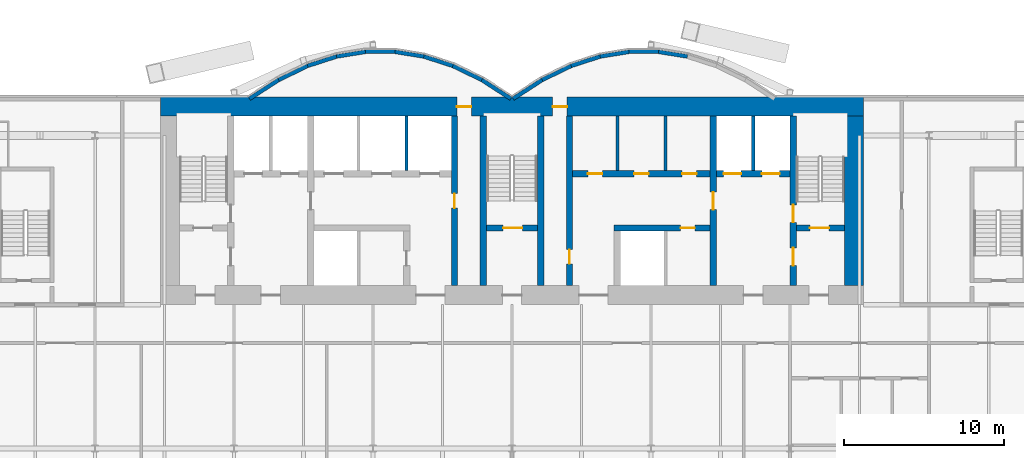
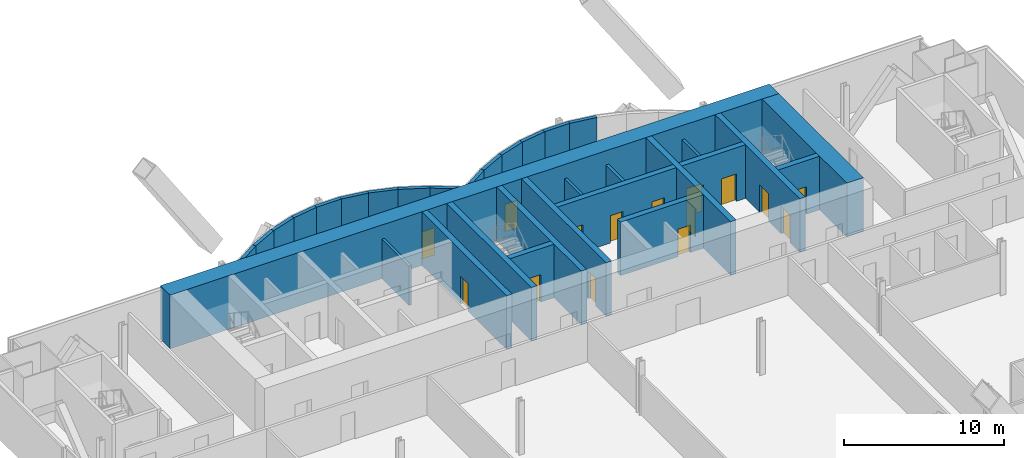
# One storey, part 19 of 23: 31 walls, 15 doors, 15 openings.
"""IFC4 building model written with IfcOpenShell, lengths in metres."""

import ifcopenshell
import ifcopenshell.guid

model = None  # the IFC model being written
_history = None  # IfcOwnerHistory: only IFC2X3 demands one
_inside = {}  # id of a spatial element -> (the spatial element, [elements in it])
_under = {}  # id of a project, library or spatial element -> (it, [spatial elements below it])
_declared = {}  # id of a project -> (the project, [libraries it declares])
_typed = {}  # id of a type object -> (the type object, [elements of that type])
_made_of = {}  # id of a material, layer set ... -> (it, [elements and type objects made of it])


def new_model(schema):
    """Start an empty IFC model of exactly this schema.

    Asked for "IFC4X3", IfcOpenShell would pick the latest addendum, in which some entities
    have other attributes; the version numbers below select the first issue.
    IFC2X3 requires an IfcOwnerHistory on every rooted entity: one is made here for all.
    """
    global model, _history
    if schema == "IFC4X3":
        model = ifcopenshell.file(schema_version=(4, 3, 0, 0))
    else:
        model = ifcopenshell.file(schema=schema)
    _inside.clear()
    _under.clear()
    _declared.clear()
    _typed.clear()
    _made_of.clear()
    _history = None
    if model.schema == "IFC2X3":
        org = make("IfcOrganization", Name="unknown")
        user = make(
            "IfcPersonAndOrganization",
            ThePerson=make("IfcPerson", FamilyName="unknown"),
            TheOrganization=org,
        )
        app = make(
            "IfcApplication",
            ApplicationDeveloper=org,
            Version="unknown",
            ApplicationFullName="unknown",
            ApplicationIdentifier="unknown",
        )
        _history = make(
            "IfcOwnerHistory",
            OwningUser=user,
            OwningApplication=app,
            ChangeAction="ADDED",
            CreationDate=0,
        )
    return model


def make(cls, **values):
    """One entity of the class cls with the attributes given. An attribute that is None is left unset."""
    return model.create_entity(
        cls, **{name: value for name, value in values.items() if value is not None}
    )


def rooted(cls, **values):
    """An entity with a GlobalId (a new one), such as an element, a storey or a relation."""
    return make(cls, GlobalId=ifcopenshell.guid.new(), OwnerHistory=_history, **values)


def si_unit(unit_type, name, prefix=None):
    """IfcSIUnit, for example si_unit("LENGTHUNIT", "METRE", prefix="MILLI")."""
    return make("IfcSIUnit", UnitType=unit_type, Prefix=prefix, Name=name)


def assignment(units):
    """IfcUnitAssignment: the units of a project."""
    return None if units is None else make("IfcUnitAssignment", Units=units)


def point(xyz):
    """IfcCartesianPoint."""
    return None if xyz is None else make("IfcCartesianPoint", Coordinates=xyz)


def direction(xyz):
    """IfcDirection."""
    return None if xyz is None else make("IfcDirection", DirectionRatios=xyz)


def frame(location, z_axis=None, x_axis=None):
    """IfcAxis2Placement3D, a coordinate frame: its origin and axes. An axis left out is left unset."""
    return make(
        "IfcAxis2Placement3D",
        Location=point(location),
        Axis=direction(z_axis),
        RefDirection=direction(x_axis),
    )


def frame_2d(location, x_axis=None):
    """IfcAxis2Placement2D, a coordinate frame in the plane: its origin and x axis."""
    return make(
        "IfcAxis2Placement2D", Location=point(location), RefDirection=direction(x_axis)
    )


def origin():
    """The frame at (0, 0, 0) with its axes left unset."""
    return frame((0.0, 0.0, 0.0))


def place(relative_to, where):
    """IfcLocalPlacement: puts the frame where relative to a parent placement (None: the world)."""
    return make(
        "IfcLocalPlacement", PlacementRelTo=relative_to, RelativePlacement=where
    )


def context(
    kind, dimensions, precision=None, world=None, true_north=None, identifier=None
):
    """IfcGeometricRepresentationContext, for example the 3D "Model" context."""
    return make(
        "IfcGeometricRepresentationContext",
        ContextIdentifier=identifier,
        ContextType=kind,
        CoordinateSpaceDimension=dimensions,
        Precision=precision,
        WorldCoordinateSystem=world,
        TrueNorth=true_north,
    )


def subcontext(parent, identifier, kind, view, scale=None):
    """IfcGeometricRepresentationSubContext, for example "Body" below "Model"."""
    return make(
        "IfcGeometricRepresentationSubContext",
        ContextIdentifier=identifier,
        ContextType=kind,
        ParentContext=parent,
        TargetScale=scale,
        TargetView=view,
    )


def project(units=None, contexts=None):
    """IfcProject with its units and contexts."""
    return rooted(
        "IfcProject",
        Name="project",
        RepresentationContexts=contexts,
        UnitsInContext=assignment(units),
    )


def spatial(cls, under=None, at=None, **own):
    """A site, building, storey or space (cls), placed at a placement, below another one or the project."""
    s = rooted(cls, ObjectPlacement=at, **own)
    if under is not None:
        _under.setdefault(under.id(), (under, []))[1].append(s)
    return s


def profile(cls, at=None, kind="AREA", **sizes):
    """A parametric profile (cls). Its sizes go by their IFC names, for example OverallWidth=200.0."""
    return make(cls, ProfileType=kind, Position=at, **sizes)


def rectangle(**sizes):
    """IfcRectangleProfileDef."""
    return profile("IfcRectangleProfileDef", **sizes)


def extrude(swept, where, along, depth):
    """IfcExtrudedAreaSolid: the profile swept, set in the frame where, extruded along a direction by depth."""
    return make(
        "IfcExtrudedAreaSolid",
        SweptArea=swept,
        Position=where,
        ExtrudedDirection=direction(along),
        Depth=depth,
    )


def shape(context_of_items, identifier, shape_type, items):
    """IfcShapeRepresentation: the items that make up one representation, for example the "Body"."""
    return make(
        "IfcShapeRepresentation",
        ContextOfItems=context_of_items,
        RepresentationIdentifier=identifier,
        RepresentationType=shape_type,
        Items=items,
    )


def material(Name=None, Category=None):
    """IfcMaterial."""
    return make("IfcMaterial", Name=Name, Category=Category)


def layer(
    of_material, thickness, ventilated=None, Name=None, Category=None, Priority=None
):
    """IfcMaterialLayer: one layer of a wall or slab, of a material (None: an air gap)."""
    return make(
        "IfcMaterialLayer",
        Material=of_material,
        LayerThickness=thickness,
        IsVentilated=ventilated,
        Name=Name,
        Category=Category,
        Priority=Priority,
    )


def layer_set(layers, Name=None):
    """IfcMaterialLayerSet."""
    return make("IfcMaterialLayerSet", MaterialLayers=layers, LayerSetName=Name)


def layer_usage(for_layer_set, set_direction, sense, offset, extent=None):
    """IfcMaterialLayerSetUsage: how a layer set lies in its element."""
    return make(
        "IfcMaterialLayerSetUsage",
        ForLayerSet=for_layer_set,
        LayerSetDirection=set_direction,
        DirectionSense=sense,
        OffsetFromReferenceLine=offset,
        ReferenceExtent=extent,
    )


def made_of(thing, what):
    """Note that an element or type object is made of a material, layer set ...; save() writes the relation."""
    if what is not None:
        _made_of.setdefault(what.id(), (what, []))[1].append(thing)
    return thing


def type_object(cls, material=None, **own):
    """A type object (cls), such as IfcWallType, which elements share."""
    return made_of(rooted(cls, **own), material)


def element(
    cls,
    number,
    at=None,
    inside=None,
    cuts=None,
    type_object=None,
    material=None,
    context=None,
    identifier="Body",
    shape_type=None,
    held_by="IfcProductDefinitionShape",
    body=None,
    shapes=None,
    **own,
):
    """One element of the class cls, such as IfcWall. Its Tag is "e" and its number.

    at: its placement. inside: the storey or other place that contains it. cuts: it is an
    opening in that element (IfcRelVoidsElement). A single representation is given by context,
    identifier, shape_type and body (its items); several are given by shapes. held_by: the class
    of the entity that holds the representations. save() writes the other relations.
    """
    e = rooted(cls, Tag="e%d" % number, ObjectPlacement=at, **own)
    if body is not None:
        shapes = [shape(context, identifier, shape_type, body)]
    if shapes is not None:
        e.Representation = make(held_by, Representations=shapes)
    if inside is not None:
        _inside.setdefault(inside.id(), (inside, []))[1].append(e)
    if cuts is not None:
        rooted(
            "IfcRelVoidsElement", RelatingBuildingElement=cuts, RelatedOpeningElement=e
        )
    if type_object is not None:
        _typed.setdefault(type_object.id(), (type_object, []))[1].append(e)
    return made_of(e, material)


def fill(opening, filler):
    """IfcRelFillsElement: the door or window that sits in an opening."""
    return rooted(
        "IfcRelFillsElement",
        RelatingOpeningElement=opening,
        RelatedBuildingElement=filler,
    )


def aggregate(whole, parts):
    """IfcRelAggregates: a whole, such as a stair, and the parts it consists of."""
    return rooted("IfcRelAggregates", RelatingObject=whole, RelatedObjects=parts)


def save(model, path):
    """Write the relations noted so far, then the file.

    IfcRelAggregates (storeys below a building ...), IfcRelContainedInSpatialStructure (elements
    in a storey), IfcRelDefinesByType, IfcRelAssociatesMaterial and IfcRelDeclares: one each for
    every whole, place, type object, material and project.
    """
    for whole, parts in _under.values():
        aggregate(whole, parts)
    for where, things in _inside.values():
        rooted(
            "IfcRelContainedInSpatialStructure",
            RelatedElements=things,
            RelatingStructure=where,
        )
    for kind, things in _typed.values():
        rooted("IfcRelDefinesByType", RelatedObjects=things, RelatingType=kind)
    for what, things in _made_of.values():
        rooted("IfcRelAssociatesMaterial", RelatedObjects=things, RelatingMaterial=what)
    for by, libraries in _declared.values():
        rooted("IfcRelDeclares", RelatingContext=by, RelatedDefinitions=libraries)
    model.write(path)


model = new_model("IFC4")

# Units and contexts
model_context = context("Model", 3, precision=1e-05, world=origin(), true_north=direction((0.0, 1.0)))
body_context = subcontext(model_context, "Body", "Model", "MODEL_VIEW")
ifc_project = project(units=[si_unit("LENGTHUNIT", "METRE"), si_unit("AREAUNIT", "SQUARE_METRE"), si_unit("VOLUMEUNIT", "CUBIC_METRE"), si_unit("PLANEANGLEUNIT", "RADIAN"), si_unit("MASSUNIT", "GRAM", prefix="KILO")], contexts=[model_context])

# Site, building, storey
site_placement = place(None, origin())
site = spatial("IfcSite", under=ifc_project, at=site_placement, CompositionType="ELEMENT")
building_placement = place(site_placement, origin())
building = spatial("IfcBuilding", under=site, at=building_placement, Name="Bicima Exchange Tower", CompositionType="ELEMENT")
storey_placement = place(building_placement, frame((0.0, 0.0, 110.39990234375)))
storey = spatial("IfcBuildingStorey", under=building, at=storey_placement, Name="L23", CompositionType="ELEMENT", Elevation=110.39990234375)

# Walls
ifc_material_1 = material(Name="Gypsum board partition")
ifc_layer_1 = layer(ifc_material_1, 0.199951171875)
ifc_layer_set_1 = layer_set([ifc_layer_1], Name="Gypsum board partition")
wall_type_1 = type_object("IfcWallType", Name="Fire-rated gypsum partition 200 EI120", PredefinedType="PARTITIONING", material=ifc_layer_set_1)
for number, where, z_axis, x_axis, name in (
    (1, (-6.60009765625, -4.60009765625, 0.0), (0.0, 0.0, 1.0), (0.0, 1.0, 0.0), "partition wall 14"),
    (2, (15.10009765625, -4.60009765625, 0.0), (0.0, 0.0, 1.0), (0.0, 1.0, 0.0), "partition wall 24"),
):
    element("IfcWall", number, at=place(storey_placement, frame(where, z_axis=z_axis, x_axis=x_axis)), inside=storey, type_object=wall_type_1, Name=name, PredefinedType="PARTITIONING", context=body_context, shape_type="SweptSolid", body=[
        extrude(rectangle(XDim=3.400146484375, YDim=0.199951171875, at=frame_2d((1.7001953125, 0.0))), origin(), (0.0, 0.0, 1.0), 3.018310546875),
    ])
ifc_layer_2 = layer(ifc_material_1, 0.199951171875)
ifc_layer_set_2 = layer_set([ifc_layer_2], Name="Gypsum board partition")
wall_type_2 = type_object("IfcWallType", Name="Fire-rated gypsum partition 200 EI60", PredefinedType="PARTITIONING", material=ifc_layer_set_2)
for number, where, z_axis, x_axis, name in (
    (3, (6.60009765625, -4.60009765625, 0.0), (0.0, 0.0, 1.0), (0.0, 1.0, 0.0), "partition wall 20"),
    (4, (9.60009765625, -4.60009765625, 0.0), (0.0, 0.0, 1.0), (0.0, 1.0, 0.0), "partition wall 22"),
):
    element("IfcWall", number, at=place(storey_placement, frame(where, z_axis=z_axis, x_axis=x_axis)), inside=storey, type_object=wall_type_2, Name=name, PredefinedType="PARTITIONING", context=body_context, shape_type="SweptSolid", body=[
        extrude(rectangle(XDim=3.400146484375, YDim=0.199951171875, at=frame_2d((1.7001953125, 0.0))), origin(), (0.0, 0.0, 1.0), 3.018310546875),
    ])

# Wall, openings, doors
ifc_material_2 = material(Name="Concrete C60/75", Category="concrete")
ifc_layer_3 = layer(ifc_material_2, 1.199951171875)
ifc_layer_set_3 = layer_set([ifc_layer_3], Name="Concrete C60/75")
wall_type_3 = type_object("IfcWallType", Name="RC core wall 1200 C60/75", PredefinedType="SHEAR", material=ifc_layer_set_3)
wall_1_placement = place(storey_placement, frame((-22.0, -0.60009765625, 0.0), z_axis=(0.0, 0.0, 1.0), x_axis=(1.0, 0.0, 0.0)))
wall_1 = element("IfcWall", 5, at=wall_1_placement, inside=storey, type_object=wall_type_3, Name="Core wall north", PredefinedType="SHEAR", context=body_context, shape_type="SweptSolid", body=[
    extrude(rectangle(XDim=44.0, YDim=1.199951171875, at=frame_2d((22.0, 0.0))), origin(), (0.0, 0.0, 1.0), 4.10009765625),
])
opening_1_placement = place(wall_1_placement, frame((18.550048828125, 0.0, 0.0)))
opening_1 = element("IfcOpeningElement", 6, at=opening_1_placement, cuts=wall_1, Name="Opening L23-C17", PredefinedType="OPENING", context=body_context, shape_type="SweptSolid", body=[
    extrude(rectangle(XDim=0.89990234375, YDim=2.10009765625, at=frame_2d((0.449951171875, 1.050048828125))), frame((0.0, 0.61181640625, 0.0), z_axis=(0.0, -1.0, 0.0), x_axis=(1.0, 0.0, 0.0)), (0.0, 0.0, 1.0), 1.223876953125),
])
opening_2_placement = place(wall_1_placement, frame((24.550048828125, 0.0, 0.0)))
opening_2 = element("IfcOpeningElement", 7, at=opening_2_placement, cuts=wall_1, Name="Opening L23-C18", PredefinedType="OPENING", context=body_context, shape_type="SweptSolid", body=[
    extrude(rectangle(XDim=0.89990234375, YDim=2.10009765625, at=frame_2d((0.449951171875, 1.050048828125))), frame((0.0, 0.61181640625, 0.0), z_axis=(0.0, -1.0, 0.0), x_axis=(1.0, 0.0, 0.0)), (0.0, 0.0, 1.0), 1.223876953125),
])
ifc_material_3 = material(Name="Steel fire door leaf", Category="steel")
door_type_1 = type_object("IfcDoorType", Name="Door 900 swing FD30S", OperationType="SINGLE_SWING_LEFT", PredefinedType="DOOR", material=ifc_material_3)
door_1_placement = place(opening_1_placement, origin())
door_1 = element("IfcDoor", 8, at=door_1_placement, inside=storey, type_object=door_type_1, Name="Core door", OperationType="SINGLE_SWING_LEFT", OverallHeight=2.10009765625, OverallWidth=0.89990234375, PredefinedType="DOOR", context=body_context, shape_type="SweptSolid", body=[
    extrude(rectangle(XDim=0.89990234375, YDim=2.10009765625, at=frame_2d((0.449951171875, 1.050048828125))), frame((0.0, 0.02490234375, 0.0), z_axis=(0.0, -1.0, 0.0), x_axis=(1.0, 0.0, 0.0)), (0.0, 0.0, 1.0), 0.050048828125),
])
fill(opening_1, door_1)
door_2_placement = place(opening_2_placement, origin())
door_2 = element("IfcDoor", 9, at=door_2_placement, inside=storey, type_object=door_type_1, Name="Core door", OperationType="SINGLE_SWING_LEFT", OverallHeight=2.10009765625, OverallWidth=0.89990234375, PredefinedType="DOOR", context=body_context, shape_type="SweptSolid", body=[
    extrude(rectangle(XDim=0.89990234375, YDim=2.10009765625, at=frame_2d((0.449951171875, 1.050048828125))), frame((0.0, 0.02490234375, 0.0), z_axis=(0.0, -1.0, 0.0), x_axis=(1.0, 0.0, 0.0)), (0.0, 0.0, 1.0), 0.050048828125),
])
fill(opening_2, door_2)

# Wall
wall_2_placement = place(storey_placement, frame((21.39990234375, -11.800048828125, 0.0), z_axis=(0.0, 0.0, 1.0), x_axis=(0.0, 1.0, 0.0)))
element("IfcWall", 10, at=wall_2_placement, inside=storey, type_object=wall_type_3, Name="Core wall east", PredefinedType="SHEAR", context=body_context, shape_type="SweptSolid", body=[
    extrude(rectangle(XDim=10.60009765625, YDim=1.199951171875, at=frame_2d((5.300048828125, 0.0))), origin(), (0.0, 0.0, 1.0), 4.10009765625),
])

# Wall, opening, door
ifc_material_4 = material(Name="Concrete C50/60", Category="concrete")
ifc_layer_4 = layer(ifc_material_4, 0.39990234375)
ifc_layer_set_4 = layer_set([ifc_layer_4], Name="Concrete C50/60")
wall_type_4 = type_object("IfcWallType", Name="RC core wall 400 C50/60", PredefinedType="SHEAR", material=ifc_layer_set_4)
wall_3_placement = place(storey_placement, frame((-1.60009765625, -8.199951171875, 0.0), z_axis=(0.0, 0.0, 1.0), x_axis=(1.0, 0.0, 0.0)))
wall_3 = element("IfcWall", 11, at=wall_3_placement, inside=storey, type_object=wall_type_4, Name="stair wall 3", PredefinedType="SHEAR", context=body_context, shape_type="SweptSolid", body=[
    extrude(rectangle(XDim=3.2001953125, YDim=0.39990234375, at=frame_2d((1.60009765625, 0.0))), origin(), (0.0, 0.0, 1.0), 4.10009765625),
])
opening_3_placement = place(wall_3_placement, frame((1.050048828125, 0.0, 0.0)))
opening_3 = element("IfcOpeningElement", 12, at=opening_3_placement, cuts=wall_3, Name="Opening L23-C03", PredefinedType="OPENING", context=body_context, shape_type="SweptSolid", body=[
    extrude(rectangle(XDim=1.199951171875, YDim=2.10009765625, at=frame_2d((0.60009765625, 1.050048828125))), frame((0.0, 0.2119140625, 0.0), z_axis=(0.0, -1.0, 0.0), x_axis=(1.0, 0.0, 0.0)), (0.0, 0.0, 1.0), 0.423828125),
])
door_type_2 = type_object("IfcDoorType", Name="Door 1200 swing FD60S", OperationType="SINGLE_SWING_LEFT", PredefinedType="DOOR", material=ifc_material_3)
door_3_placement = place(opening_3_placement, origin())
door_3 = element("IfcDoor", 13, at=door_3_placement, inside=storey, type_object=door_type_2, Name="Core door", OperationType="SINGLE_SWING_LEFT", OverallHeight=2.10009765625, OverallWidth=1.199951171875, PredefinedType="DOOR", context=body_context, shape_type="SweptSolid", body=[
    extrude(rectangle(XDim=1.199951171875, YDim=2.10009765625, at=frame_2d((0.60009765625, 1.050048828125))), frame((0.0, 0.02490234375, 0.0), z_axis=(0.0, -1.0, 0.0), x_axis=(1.0, 0.0, 0.0)), (0.0, 0.0, 1.0), 0.050048828125),
])
fill(opening_3, door_3)

wall_4_placement = place(storey_placement, frame((17.800048828125, -8.199951171875, 0.0), z_axis=(0.0, 0.0, 1.0), x_axis=(1.0, 0.0, 0.0)))
wall_4 = element("IfcWall", 14, at=wall_4_placement, inside=storey, type_object=wall_type_4, Name="stair wall 5", PredefinedType="SHEAR", context=body_context, shape_type="SweptSolid", body=[
    extrude(rectangle(XDim=3.0, YDim=0.39990234375, at=frame_2d((1.5, 0.0))), origin(), (0.0, 0.0, 1.0), 4.10009765625),
])
opening_4_placement = place(wall_4_placement, frame((0.85009765625, 0.0, 0.0)))
opening_4 = element("IfcOpeningElement", 15, at=opening_4_placement, cuts=wall_4, Name="Opening L23-C04", PredefinedType="OPENING", context=body_context, shape_type="SweptSolid", body=[
    extrude(rectangle(XDim=1.199951171875, YDim=2.10009765625, at=frame_2d((0.60009765625, 1.050048828125))), frame((0.0, 0.2119140625, 0.0), z_axis=(0.0, -1.0, 0.0), x_axis=(1.0, 0.0, 0.0)), (0.0, 0.0, 1.0), 0.423828125),
])
door_4_placement = place(opening_4_placement, origin())
door_4 = element("IfcDoor", 16, at=door_4_placement, inside=storey, type_object=door_type_2, Name="Core door", OperationType="SINGLE_SWING_RIGHT", OverallHeight=2.10009765625, OverallWidth=1.199951171875, PredefinedType="DOOR", context=body_context, shape_type="SweptSolid", body=[
    extrude(rectangle(XDim=1.199951171875, YDim=2.10009765625, at=frame_2d((0.60009765625, 1.050048828125))), frame((0.0, 0.02490234375, 0.0), z_axis=(0.0, -1.0, 0.0), x_axis=(1.0, 0.0, 0.0)), (0.0, 0.0, 1.0), 0.050048828125),
])
fill(opening_4, door_4)

# Walls
for number, where, z_axis, x_axis, name in (
    (17, (-1.800048828125, -11.800048828125, 0.0), (0.0, 0.0, 1.0), (0.0, 1.0, 0.0), "stair wall 16"),
    (18, (1.800048828125, -11.800048828125, 0.0), (0.0, 0.0, 1.0), (0.0, 1.0, 0.0), "stair wall 17"),
):
    element("IfcWall", number, at=place(storey_placement, frame(where, z_axis=z_axis, x_axis=x_axis)), inside=storey, type_object=wall_type_4, Name=name, PredefinedType="SHEAR", context=body_context, shape_type="SweptSolid", body=[
        extrude(rectangle(XDim=10.60009765625, YDim=0.39990234375, at=frame_2d((5.300048828125, 0.0))), origin(), (0.0, 0.0, 1.0), 4.10009765625),
    ])

# Wall, openings, doors
wall_5_placement = place(storey_placement, frame((17.60009765625, -11.800048828125, 0.0), z_axis=(0.0, 0.0, 1.0), x_axis=(0.0, 1.0, 0.0)))
wall_5 = element("IfcWall", 19, at=wall_5_placement, inside=storey, type_object=wall_type_4, Name="stair wall 25", PredefinedType="SHEAR", context=body_context, shape_type="SweptSolid", body=[
    extrude(rectangle(XDim=10.60009765625, YDim=0.39990234375, at=frame_2d((5.300048828125, 0.0))), origin(), (0.0, 0.0, 1.0), 4.10009765625),
])
opening_5_placement = place(wall_5_placement, frame((1.25, 0.0, 0.0)))
opening_5 = element("IfcOpeningElement", 20, at=opening_5_placement, cuts=wall_5, Name="Opening L23-C05", PredefinedType="OPENING", context=body_context, shape_type="SweptSolid", body=[
    extrude(rectangle(XDim=1.10009765625, YDim=2.10009765625, at=frame_2d((0.550048828125, 1.050048828125))), frame((0.0, 0.2119140625, 0.0), z_axis=(0.0, -1.0, 0.0), x_axis=(1.0, 0.0, 0.0)), (0.0, 0.0, 1.0), 0.423828125),
])
opening_6_placement = place(wall_5_placement, frame((3.949951171875, 0.0, 0.0)))
opening_6 = element("IfcOpeningElement", 21, at=opening_6_placement, cuts=wall_5, Name="Opening L23-C08", PredefinedType="OPENING", context=body_context, shape_type="SweptSolid", body=[
    extrude(rectangle(XDim=1.10009765625, YDim=2.10009765625, at=frame_2d((0.550048828125, 1.050048828125))), frame((0.0, 0.2119140625, 0.0), z_axis=(0.0, -1.0, 0.0), x_axis=(1.0, 0.0, 0.0)), (0.0, 0.0, 1.0), 0.423828125),
])
door_type_3 = type_object("IfcDoorType", Name="Door 1100 swing FD60S", OperationType="SINGLE_SWING_LEFT", PredefinedType="DOOR", material=ifc_material_3)
door_5_placement = place(opening_5_placement, origin())
door_5 = element("IfcDoor", 22, at=door_5_placement, inside=storey, type_object=door_type_3, Name="Core door", OperationType="SINGLE_SWING_LEFT", OverallHeight=2.10009765625, OverallWidth=1.10009765625, PredefinedType="DOOR", context=body_context, shape_type="SweptSolid", body=[
    extrude(rectangle(XDim=1.10009765625, YDim=2.10009765625, at=frame_2d((0.550048828125, 1.050048828125))), frame((0.0, 0.02490234375, 0.0), z_axis=(0.0, -1.0, 0.0), x_axis=(1.0, 0.0, 0.0)), (0.0, 0.0, 1.0), 0.050048828125),
])
fill(opening_5, door_5)
door_6_placement = place(opening_6_placement, origin())
door_6 = element("IfcDoor", 23, at=door_6_placement, inside=storey, type_object=door_type_3, Name="Core door", OperationType="SINGLE_SWING_RIGHT", OverallHeight=2.10009765625, OverallWidth=1.10009765625, PredefinedType="DOOR", context=body_context, shape_type="SweptSolid", body=[
    extrude(rectangle(XDim=1.10009765625, YDim=2.10009765625, at=frame_2d((0.550048828125, 1.050048828125))), frame((0.0, 0.02490234375, 0.0), z_axis=(0.0, -1.0, 0.0), x_axis=(1.0, 0.0, 0.0)), (0.0, 0.0, 1.0), 0.050048828125),
])
fill(opening_6, door_6)

# Wall, opening, door
ifc_layer_5 = layer(ifc_material_2, 0.39990234375)
ifc_layer_set_5 = layer_set([ifc_layer_5], Name="Concrete C60/75")
wall_type_5 = type_object("IfcWallType", Name="RC core wall 400 C60/75", PredefinedType="SHEAR", material=ifc_layer_set_5)
wall_6_placement = place(storey_placement, frame((6.39990234375, -8.199951171875, 0.0), z_axis=(0.0, 0.0, 1.0), x_axis=(1.0, 0.0, 0.0)))
wall_6 = element("IfcWall", 24, at=wall_6_placement, inside=storey, type_object=wall_type_5, Name="shear wall 4", PredefinedType="SHEAR", context=body_context, shape_type="SweptSolid", body=[
    extrude(rectangle(XDim=6.0, YDim=0.39990234375, at=frame_2d((3.0, 0.0))), origin(), (0.0, 0.0, 1.0), 4.10009765625),
])
opening_7_placement = place(wall_6_placement, frame((4.14990234375, 0.0, 0.0)))
opening_7 = element("IfcOpeningElement", 25, at=opening_7_placement, cuts=wall_6, Name="Opening L23-C16", PredefinedType="OPENING", context=body_context, shape_type="SweptSolid", body=[
    extrude(rectangle(XDim=0.89990234375, YDim=2.10009765625, at=frame_2d((0.449951171875, 1.050048828125))), frame((0.0, 0.2119140625, 0.0), z_axis=(0.0, -1.0, 0.0), x_axis=(1.0, 0.0, 0.0)), (0.0, 0.0, 1.0), 0.423828125),
])
door_7_placement = place(opening_7_placement, frame((0.89990234375, 0.0, 0.0), z_axis=(0.0, 0.0, 1.0), x_axis=(-1.0, 0.0, 0.0)))
door_7 = element("IfcDoor", 26, at=door_7_placement, inside=storey, type_object=door_type_1, Name="Core door", OperationType="SINGLE_SWING_LEFT", OverallHeight=2.10009765625, OverallWidth=0.89990234375, PredefinedType="DOOR", context=body_context, shape_type="SweptSolid", body=[
    extrude(rectangle(XDim=0.89990234375, YDim=2.10009765625, at=frame_2d((0.449951171875, 1.050048828125))), frame((0.0, 0.02490234375, 0.0), z_axis=(0.0, -1.0, 0.0), x_axis=(1.0, 0.0, 0.0)), (0.0, 0.0, 1.0), 0.050048828125),
])
fill(opening_7, door_7)

# Wall, openings, doors
wall_7_placement = place(storey_placement, frame((3.800048828125, -4.800048828125, 0.0), z_axis=(0.0, 0.0, 1.0), x_axis=(1.0, 0.0, 0.0)))
wall_7 = element("IfcWall", 27, at=wall_7_placement, inside=storey, type_object=wall_type_5, Name="shear wall 7", PredefinedType="SHEAR", context=body_context, shape_type="SweptSolid", body=[
    extrude(rectangle(XDim=13.599853515625, YDim=0.39990234375, at=frame_2d((6.7998046875, 0.0))), origin(), (0.0, 0.0, 1.0), 4.10009765625),
])
opening_8_placement = place(wall_7_placement, frame((9.449951171875, 0.0, 0.0)))
opening_8 = element("IfcOpeningElement", 28, at=opening_8_placement, cuts=wall_7, Name="Opening LD-FF2-L23", PredefinedType="OPENING", context=body_context, shape_type="SweptSolid", body=[
    extrude(rectangle(XDim=1.10009765625, YDim=2.10009765625, at=frame_2d((0.550048828125, 1.050048828125))), frame((0.0, 0.2119140625, 0.0), z_axis=(0.0, -1.0, 0.0), x_axis=(1.0, 0.0, 0.0)), (0.0, 0.0, 1.0), 0.423828125),
])
opening_9_placement = place(wall_7_placement, frame((11.85009765625, 0.0, 0.0)))
opening_9 = element("IfcOpeningElement", 29, at=opening_9_placement, cuts=wall_7, Name="Opening LD-SV1-L23", PredefinedType="OPENING", context=body_context, shape_type="SweptSolid", body=[
    extrude(rectangle(XDim=1.10009765625, YDim=2.10009765625, at=frame_2d((0.550048828125, 1.050048828125))), frame((0.0, 0.2119140625, 0.0), z_axis=(0.0, -1.0, 0.0), x_axis=(1.0, 0.0, 0.0)), (0.0, 0.0, 1.0), 0.423828125),
])
opening_10_placement = place(wall_7_placement, frame((0.949951171875, 0.0, 0.0)))
opening_10 = element("IfcOpeningElement", 30, at=opening_10_placement, cuts=wall_7, Name="Opening L23-C12", PredefinedType="OPENING", context=body_context, shape_type="SweptSolid", body=[
    extrude(rectangle(XDim=0.89990234375, YDim=2.10009765625, at=frame_2d((0.449951171875, 1.050048828125))), frame((0.0, 0.2119140625, 0.0), z_axis=(0.0, -1.0, 0.0), x_axis=(1.0, 0.0, 0.0)), (0.0, 0.0, 1.0), 0.423828125),
])
opening_11_placement = place(wall_7_placement, frame((3.85009765625, 0.0, 0.0)))
opening_11 = element("IfcOpeningElement", 31, at=opening_11_placement, cuts=wall_7, Name="Opening L23-C13", PredefinedType="OPENING", context=body_context, shape_type="SweptSolid", body=[
    extrude(rectangle(XDim=0.89990234375, YDim=2.10009765625, at=frame_2d((0.449951171875, 1.050048828125))), frame((0.0, 0.2119140625, 0.0), z_axis=(0.0, -1.0, 0.0), x_axis=(1.0, 0.0, 0.0)), (0.0, 0.0, 1.0), 0.423828125),
])
opening_12_placement = place(wall_7_placement, frame((6.85009765625, 0.0, 0.0)))
opening_12 = element("IfcOpeningElement", 32, at=opening_12_placement, cuts=wall_7, Name="Opening L23-C14", PredefinedType="OPENING", context=body_context, shape_type="SweptSolid", body=[
    extrude(rectangle(XDim=0.89990234375, YDim=2.10009765625, at=frame_2d((0.449951171875, 1.050048828125))), frame((0.0, 0.2119140625, 0.0), z_axis=(0.0, -1.0, 0.0), x_axis=(1.0, 0.0, 0.0)), (0.0, 0.0, 1.0), 0.423828125),
])
door_8_placement = place(opening_10_placement, origin())
door_8 = element("IfcDoor", 33, at=door_8_placement, inside=storey, type_object=door_type_1, Name="Core door", OperationType="SINGLE_SWING_RIGHT", OverallHeight=2.10009765625, OverallWidth=0.89990234375, PredefinedType="DOOR", context=body_context, shape_type="SweptSolid", body=[
    extrude(rectangle(XDim=0.89990234375, YDim=2.10009765625, at=frame_2d((0.449951171875, 1.050048828125))), frame((0.0, 0.02490234375, 0.0), z_axis=(0.0, -1.0, 0.0), x_axis=(1.0, 0.0, 0.0)), (0.0, 0.0, 1.0), 0.050048828125),
])
fill(opening_10, door_8)
door_9_placement = place(opening_11_placement, origin())
door_9 = element("IfcDoor", 34, at=door_9_placement, inside=storey, type_object=door_type_1, Name="Core door", OperationType="SINGLE_SWING_LEFT", OverallHeight=2.10009765625, OverallWidth=0.89990234375, PredefinedType="DOOR", context=body_context, shape_type="SweptSolid", body=[
    extrude(rectangle(XDim=0.89990234375, YDim=2.10009765625, at=frame_2d((0.449951171875, 1.050048828125))), frame((0.0, 0.02490234375, 0.0), z_axis=(0.0, -1.0, 0.0), x_axis=(1.0, 0.0, 0.0)), (0.0, 0.0, 1.0), 0.050048828125),
])
fill(opening_11, door_9)
door_10_placement = place(opening_12_placement, origin())
door_10 = element("IfcDoor", 35, at=door_10_placement, inside=storey, type_object=door_type_1, Name="Core door", OperationType="SINGLE_SWING_RIGHT", OverallHeight=2.10009765625, OverallWidth=0.89990234375, PredefinedType="DOOR", context=body_context, shape_type="SweptSolid", body=[
    extrude(rectangle(XDim=0.89990234375, YDim=2.10009765625, at=frame_2d((0.449951171875, 1.050048828125))), frame((0.0, 0.02490234375, 0.0), z_axis=(0.0, -1.0, 0.0), x_axis=(1.0, 0.0, 0.0)), (0.0, 0.0, 1.0), 0.050048828125),
])
fill(opening_12, door_10)
ifc_material_5 = material(Name="Stainless steel", Category="steel")
door_type_4 = type_object("IfcDoorType", Name="Lift landing door 1100 sliding", OperationType="DOUBLE_DOOR_SLIDING", PredefinedType="DOOR", material=ifc_material_5)
door_11_placement = place(opening_8_placement, origin())
door_11 = element("IfcDoor", 36, at=door_11_placement, inside=storey, type_object=door_type_4, Name="Lift landing door FF2", OperationType="DOUBLE_DOOR_SLIDING", OverallHeight=2.10009765625, OverallWidth=1.10009765625, PredefinedType="DOOR", context=body_context, shape_type="SweptSolid", body=[
    extrude(rectangle(XDim=1.10009765625, YDim=2.10009765625, at=frame_2d((0.550048828125, 1.050048828125))), frame((0.0, 0.02490234375, 0.0), z_axis=(0.0, -1.0, 0.0), x_axis=(1.0, 0.0, 0.0)), (0.0, 0.0, 1.0), 0.050048828125),
])
fill(opening_8, door_11)
door_12_placement = place(opening_9_placement, origin())
door_12 = element("IfcDoor", 37, at=door_12_placement, inside=storey, type_object=door_type_4, Name="Lift landing door SV1", OperationType="DOUBLE_DOOR_SLIDING", OverallHeight=2.10009765625, OverallWidth=1.10009765625, PredefinedType="DOOR", context=body_context, shape_type="SweptSolid", body=[
    extrude(rectangle(XDim=1.10009765625, YDim=2.10009765625, at=frame_2d((0.550048828125, 1.050048828125))), frame((0.0, 0.02490234375, 0.0), z_axis=(0.0, -1.0, 0.0), x_axis=(1.0, 0.0, 0.0)), (0.0, 0.0, 1.0), 0.050048828125),
])
fill(opening_9, door_12)

# Wall, opening, door
wall_8_placement = place(storey_placement, frame((-3.60009765625, -11.800048828125, 0.0), z_axis=(0.0, 0.0, 1.0), x_axis=(0.0, 1.0, 0.0)))
wall_8 = element("IfcWall", 38, at=wall_8_placement, inside=storey, type_object=wall_type_5, Name="shear wall 15", PredefinedType="SHEAR", context=body_context, shape_type="SweptSolid", body=[
    extrude(rectangle(XDim=10.60009765625, YDim=0.39990234375, at=frame_2d((5.300048828125, 0.0))), origin(), (0.0, 0.0, 1.0), 4.10009765625),
])
opening_13_placement = place(wall_8_placement, frame((4.85009765625, 0.0, 0.0)))
opening_13 = element("IfcOpeningElement", 39, at=opening_13_placement, cuts=wall_8, Name="Opening L23-C10", PredefinedType="OPENING", context=body_context, shape_type="SweptSolid", body=[
    extrude(rectangle(XDim=0.89990234375, YDim=2.10009765625, at=frame_2d((0.449951171875, 1.050048828125))), frame((0.0, 0.2119140625, 0.0), z_axis=(0.0, -1.0, 0.0), x_axis=(1.0, 0.0, 0.0)), (0.0, 0.0, 1.0), 0.423828125),
])
door_13_placement = place(opening_13_placement, frame((0.89990234375, 0.0, 0.0), z_axis=(0.0, 0.0, 1.0), x_axis=(-1.0, 0.0, 0.0)))
door_13 = element("IfcDoor", 40, at=door_13_placement, inside=storey, type_object=door_type_1, Name="Core door", OperationType="SINGLE_SWING_LEFT", OverallHeight=2.10009765625, OverallWidth=0.89990234375, PredefinedType="DOOR", context=body_context, shape_type="SweptSolid", body=[
    extrude(rectangle(XDim=0.89990234375, YDim=2.10009765625, at=frame_2d((0.449951171875, 1.050048828125))), frame((0.0, 0.02490234375, 0.0), z_axis=(0.0, -1.0, 0.0), x_axis=(1.0, 0.0, 0.0)), (0.0, 0.0, 1.0), 0.050048828125),
])
fill(opening_13, door_13)

wall_9_placement = place(storey_placement, frame((3.60009765625, -11.800048828125, 0.0), z_axis=(0.0, 0.0, 1.0), x_axis=(0.0, 1.0, 0.0)))
wall_9 = element("IfcWall", 41, at=wall_9_placement, inside=storey, type_object=wall_type_5, Name="shear wall 18", PredefinedType="SHEAR", context=body_context, shape_type="SweptSolid", body=[
    extrude(rectangle(XDim=10.60009765625, YDim=0.39990234375, at=frame_2d((5.300048828125, 0.0))), origin(), (0.0, 0.0, 1.0), 4.10009765625),
])
opening_14_placement = place(wall_9_placement, frame((1.35009765625, 0.0, 0.0)))
opening_14 = element("IfcOpeningElement", 42, at=opening_14_placement, cuts=wall_9, Name="Opening L23-C11", PredefinedType="OPENING", context=body_context, shape_type="SweptSolid", body=[
    extrude(rectangle(XDim=0.89990234375, YDim=2.10009765625, at=frame_2d((0.449951171875, 1.050048828125))), frame((0.0, 0.2119140625, 0.0), z_axis=(0.0, -1.0, 0.0), x_axis=(1.0, 0.0, 0.0)), (0.0, 0.0, 1.0), 0.423828125),
])
door_14_placement = place(opening_14_placement, origin())
door_14 = element("IfcDoor", 43, at=door_14_placement, inside=storey, type_object=door_type_1, Name="Core door", OperationType="SINGLE_SWING_LEFT", OverallHeight=2.10009765625, OverallWidth=0.89990234375, PredefinedType="DOOR", context=body_context, shape_type="SweptSolid", body=[
    extrude(rectangle(XDim=0.89990234375, YDim=2.10009765625, at=frame_2d((0.449951171875, 1.050048828125))), frame((0.0, 0.02490234375, 0.0), z_axis=(0.0, -1.0, 0.0), x_axis=(1.0, 0.0, 0.0)), (0.0, 0.0, 1.0), 0.050048828125),
])
fill(opening_14, door_14)

wall_10_placement = place(storey_placement, frame((12.60009765625, -11.800048828125, 0.0), z_axis=(0.0, 0.0, 1.0), x_axis=(0.0, 1.0, 0.0)))
wall_10 = element("IfcWall", 44, at=wall_10_placement, inside=storey, type_object=wall_type_5, Name="shear wall 23", PredefinedType="SHEAR", context=body_context, shape_type="SweptSolid", body=[
    extrude(rectangle(XDim=10.60009765625, YDim=0.39990234375, at=frame_2d((5.300048828125, 0.0))), origin(), (0.0, 0.0, 1.0), 4.10009765625),
])
opening_15_placement = place(wall_10_placement, frame((4.75, 0.0, 0.0)))
opening_15 = element("IfcOpeningElement", 45, at=opening_15_placement, cuts=wall_10, Name="Opening L23-C09", PredefinedType="OPENING", context=body_context, shape_type="SweptSolid", body=[
    extrude(rectangle(XDim=1.10009765625, YDim=2.10009765625, at=frame_2d((0.550048828125, 1.050048828125))), frame((0.0, 0.2119140625, 0.0), z_axis=(0.0, -1.0, 0.0), x_axis=(1.0, 0.0, 0.0)), (0.0, 0.0, 1.0), 0.423828125),
])
door_15_placement = place(opening_15_placement, frame((1.10009765625, 0.0, 0.0), z_axis=(0.0, 0.0, 1.0), x_axis=(-1.0, 0.0, 0.0)))
door_15 = element("IfcDoor", 46, at=door_15_placement, inside=storey, type_object=door_type_3, Name="Core door", OperationType="SINGLE_SWING_RIGHT", OverallHeight=2.10009765625, OverallWidth=1.10009765625, PredefinedType="DOOR", context=body_context, shape_type="SweptSolid", body=[
    extrude(rectangle(XDim=1.10009765625, YDim=2.10009765625, at=frame_2d((0.550048828125, 1.050048828125))), frame((0.0, 0.02490234375, 0.0), z_axis=(0.0, -1.0, 0.0), x_axis=(1.0, 0.0, 0.0)), (0.0, 0.0, 1.0), 0.050048828125),
])
fill(opening_15, door_15)

# Walls
ifc_material_6 = material(Name="Concrete C40/50", Category="concrete")
ifc_layer_6 = layer(ifc_material_6, 0.25)
ifc_layer_set_6 = layer_set([ifc_layer_6], Name="Concrete C40/50")
ifc_layer_usage = layer_usage(ifc_layer_set_6, "AXIS2", "POSITIVE", -0.125)
wall_type_6 = type_object("IfcWallType", Name="Rear backup wall 250", PredefinedType="STANDARD", material=ifc_layer_set_6)
wall_11_placement = place(storey_placement, frame((10.97998046875, 2.543212890625, 0.0), z_axis=(0.0, 0.0, 1.0), x_axis=(-0.987181718931, 0.159600293885, 0.0)))
element("IfcWall", 47, at=wall_11_placement, inside=storey, type_object=wall_type_6, material=ifc_layer_usage, Name="Rear backup wall L23 5", PredefinedType="STANDARD", context=body_context, shape_type="SweptSolid", body=[
    extrude(rectangle(XDim=1.857177734375, YDim=0.25, at=frame_2d((0.9287109375, 0.0))), origin(), (0.0, 0.0, 1.0), 3.9501953125),
])
wall_12_placement = place(storey_placement, frame((9.166748046875, 2.837890625, 0.0), z_axis=(0.0, 0.0, 1.0), x_axis=(-1.0, 0.0, 0.0)))
element("IfcWall", 48, at=wall_12_placement, inside=storey, type_object=wall_type_6, material=ifc_layer_usage, Name="Rear backup wall L23 6", PredefinedType="STANDARD", context=body_context, shape_type="SweptSolid", body=[
    extrude(rectangle(XDim=1.83349609375, YDim=0.25, at=frame_2d((0.916748046875, 0.0))), origin(), (0.0, 0.0, 1.0), 3.9501953125),
])
wall_13_placement = place(storey_placement, frame((7.353271484375, 2.839599609375, 0.0), z_axis=(0.0, 0.0, 1.0), x_axis=(-0.987181718931, -0.159600293885, 0.0)))
element("IfcWall", 49, at=wall_13_placement, inside=storey, type_object=wall_type_6, material=ifc_layer_usage, Name="Rear backup wall L23 7", PredefinedType="STANDARD", context=body_context, shape_type="SweptSolid", body=[
    extrude(rectangle(XDim=1.857177734375, YDim=0.25, at=frame_2d((0.9287109375, 0.0))), origin(), (0.0, 0.0, 1.0), 3.9501953125),
])
wall_14_placement = place(storey_placement, frame((5.538330078125, 2.5478515625, 0.0), z_axis=(0.0, 0.0, 1.0), x_axis=(-0.951495806175, -0.307661714928, 0.0)))
element("IfcWall", 50, at=wall_14_placement, inside=storey, type_object=wall_type_6, material=ifc_layer_usage, Name="Rear backup wall L23 8", PredefinedType="STANDARD", context=body_context, shape_type="SweptSolid", body=[
    extrude(rectangle(XDim=1.9267578125, YDim=0.25, at=frame_2d((0.96337890625, 0.0))), origin(), (0.0, 0.0, 1.0), 3.9501953125),
])
wall_15_placement = place(storey_placement, frame((3.72119140625, 1.961669921875, 0.0), z_axis=(0.0, 0.0, 1.0), x_axis=(-0.89982408427, -0.436252928206, 0.0)))
element("IfcWall", 51, at=wall_15_placement, inside=storey, type_object=wall_type_6, material=ifc_layer_usage, Name="Rear backup wall L23 9", PredefinedType="STANDARD", context=body_context, shape_type="SweptSolid", body=[
    extrude(rectangle(XDim=2.03759765625, YDim=0.25, at=frame_2d((1.018798828125, 0.0))), origin(), (0.0, 0.0, 1.0), 3.9501953125),
])
for number, where, z_axis, x_axis, name in (
    (52, (1.901123046875, 1.080078125, 0.0), (0.0, 0.0, 1.0), (-0.83981312244, -0.542875602121, 0.0), "Rear backup wall L23 10"),
    (53, (-0.06787109375, -0.10498046875, 0.0), (0.0, 0.0, 1.0), (-0.83981312244, 0.542875602121, 0.0), "Rear backup wall L23 11"),
):
    element("IfcWall", number, at=place(storey_placement, frame(where, z_axis=z_axis, x_axis=x_axis)), inside=storey, type_object=wall_type_6, material=ifc_layer_usage, Name=name, PredefinedType="STANDARD", context=body_context, shape_type="SweptSolid", body=[
        extrude(rectangle(XDim=2.182861328125, YDim=0.25, at=frame_2d((1.09130859375, 0.0))), origin(), (0.0, 0.0, 1.0), 3.9501953125),
    ])
wall_16_placement = place(storey_placement, frame((-1.8876953125, 1.07275390625, 0.0), z_axis=(0.0, 0.0, 1.0), x_axis=(-0.89982408427, 0.436252928206, 0.0)))
element("IfcWall", 54, at=wall_16_placement, inside=storey, type_object=wall_type_6, material=ifc_layer_usage, Name="Rear backup wall L23 12", PredefinedType="STANDARD", context=body_context, shape_type="SweptSolid", body=[
    extrude(rectangle(XDim=2.03759765625, YDim=0.25, at=frame_2d((1.018798828125, 0.0))), origin(), (0.0, 0.0, 1.0), 3.9501953125),
])
wall_17_placement = place(storey_placement, frame((-3.705078125, 1.955078125, 0.0), z_axis=(0.0, 0.0, 1.0), x_axis=(-0.951495806175, 0.307661714928, 0.0)))
element("IfcWall", 55, at=wall_17_placement, inside=storey, type_object=wall_type_6, material=ifc_layer_usage, Name="Rear backup wall L23 13", PredefinedType="STANDARD", context=body_context, shape_type="SweptSolid", body=[
    extrude(rectangle(XDim=1.9267578125, YDim=0.25, at=frame_2d((0.96337890625, 0.0))), origin(), (0.0, 0.0, 1.0), 3.9501953125),
])
wall_18_placement = place(storey_placement, frame((-5.52001953125, 2.543212890625, 0.0), z_axis=(0.0, 0.0, 1.0), x_axis=(-0.987181718931, 0.159600293885, 0.0)))
element("IfcWall", 56, at=wall_18_placement, inside=storey, type_object=wall_type_6, material=ifc_layer_usage, Name="Rear backup wall L23 14", PredefinedType="STANDARD", context=body_context, shape_type="SweptSolid", body=[
    extrude(rectangle(XDim=1.857177734375, YDim=0.25, at=frame_2d((0.9287109375, 0.0))), origin(), (0.0, 0.0, 1.0), 3.9501953125),
])
wall_19_placement = place(storey_placement, frame((-7.333251953125, 2.837890625, 0.0), z_axis=(0.0, 0.0, 1.0), x_axis=(-1.0, 0.0, 0.0)))
element("IfcWall", 57, at=wall_19_placement, inside=storey, type_object=wall_type_6, material=ifc_layer_usage, Name="Rear backup wall L23 15", PredefinedType="STANDARD", context=body_context, shape_type="SweptSolid", body=[
    extrude(rectangle(XDim=1.83349609375, YDim=0.25, at=frame_2d((0.916748046875, 0.0))), origin(), (0.0, 0.0, 1.0), 3.9501953125),
])
wall_20_placement = place(storey_placement, frame((-9.146728515625, 2.839599609375, 0.0), z_axis=(0.0, 0.0, 1.0), x_axis=(-0.987181718931, -0.159600293885, 0.0)))
element("IfcWall", 58, at=wall_20_placement, inside=storey, type_object=wall_type_6, material=ifc_layer_usage, Name="Rear backup wall L23 16", PredefinedType="STANDARD", context=body_context, shape_type="SweptSolid", body=[
    extrude(rectangle(XDim=1.857177734375, YDim=0.25, at=frame_2d((0.9287109375, 0.0))), origin(), (0.0, 0.0, 1.0), 3.9501953125),
])
wall_21_placement = place(storey_placement, frame((-10.961669921875, 2.5478515625, 0.0), z_axis=(0.0, 0.0, 1.0), x_axis=(-0.951495806175, -0.307661714928, 0.0)))
element("IfcWall", 59, at=wall_21_placement, inside=storey, type_object=wall_type_6, material=ifc_layer_usage, Name="Rear backup wall L23 17", PredefinedType="STANDARD", context=body_context, shape_type="SweptSolid", body=[
    extrude(rectangle(XDim=1.9267578125, YDim=0.25, at=frame_2d((0.96337890625, 0.0))), origin(), (0.0, 0.0, 1.0), 3.9501953125),
])
wall_22_placement = place(storey_placement, frame((-12.77880859375, 1.961669921875, 0.0), z_axis=(0.0, 0.0, 1.0), x_axis=(-0.89982408427, -0.436252928206, 0.0)))
element("IfcWall", 60, at=wall_22_placement, inside=storey, type_object=wall_type_6, material=ifc_layer_usage, Name="Rear backup wall L23 18", PredefinedType="STANDARD", context=body_context, shape_type="SweptSolid", body=[
    extrude(rectangle(XDim=2.03759765625, YDim=0.25, at=frame_2d((1.018798828125, 0.0))), origin(), (0.0, 0.0, 1.0), 3.9501953125),
])
wall_23_placement = place(storey_placement, frame((-14.598876953125, 1.080078125, 0.0), z_axis=(0.0, 0.0, 1.0), x_axis=(-0.83981312244, -0.542875602121, 0.0)))
element("IfcWall", 61, at=wall_23_placement, inside=storey, type_object=wall_type_6, material=ifc_layer_usage, Name="Rear backup wall L23 19", PredefinedType="STANDARD", context=body_context, shape_type="SweptSolid", body=[
    extrude(rectangle(XDim=2.182861328125, YDim=0.25, at=frame_2d((1.09130859375, 0.0))), origin(), (0.0, 0.0, 1.0), 3.9501953125),
])

save(model, "model.ifc")
